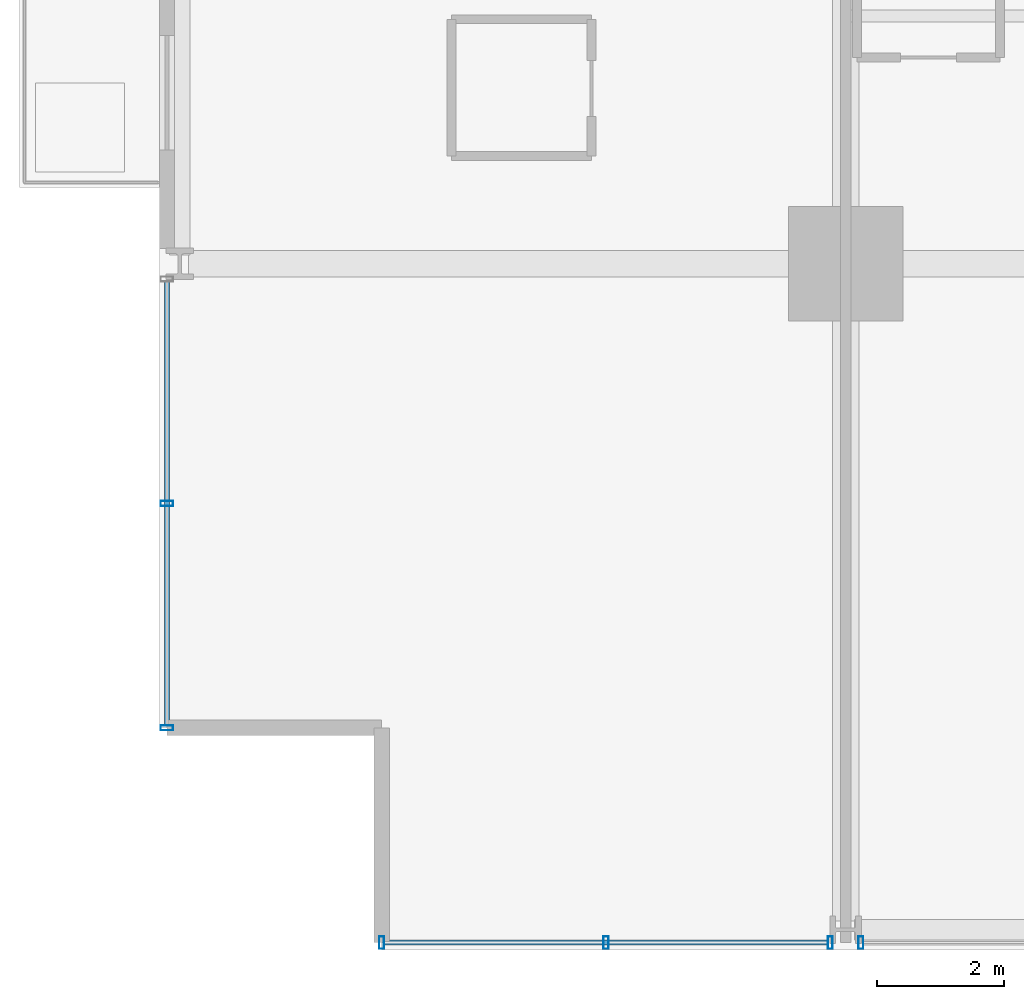
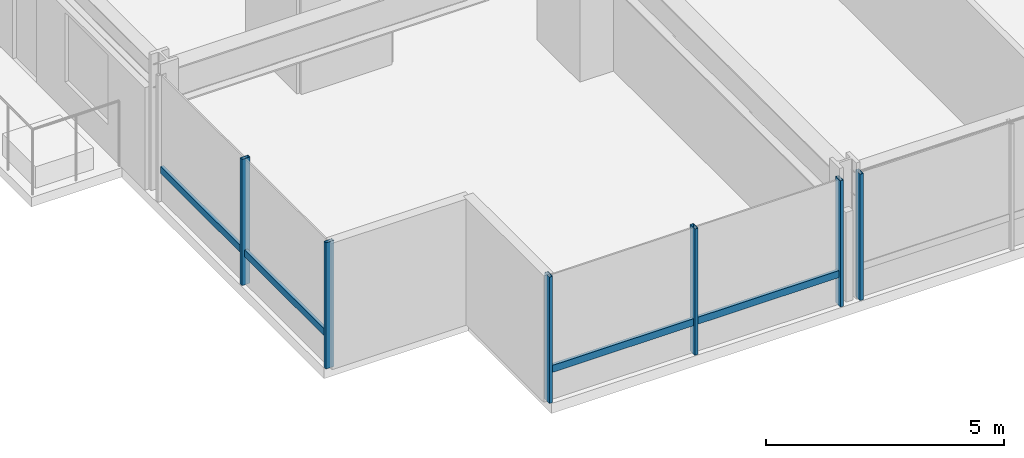
# One storey, part 2 of 42: 8 members, 3 elements without a shape of their own.
"""IFC4 building model written with IfcOpenShell, lengths in metres."""

from ifc_helpers import new_model, si_unit, direction, frame, origin, origin_2d, place, context, subcontext, project, spatial, hollow_rectangle, extrude, material, layer, layer_set, material_profile, profile_set, type_object, element, aggregate, save


model = new_model("IFC4")

# Units and contexts
model_context = context("Model", 3, precision=1e-05, world=origin(), true_north=direction((0.0, 1.0)))
body_context = subcontext(model_context, "Body", "Model", "MODEL_VIEW")
ifc_project = project(units=[si_unit("LENGTHUNIT", "METRE"), si_unit("AREAUNIT", "SQUARE_METRE"), si_unit("VOLUMEUNIT", "CUBIC_METRE"), si_unit("PLANEANGLEUNIT", "RADIAN"), si_unit("MASSUNIT", "GRAM", prefix="KILO")], contexts=[model_context])

# Site, building, storey
site_placement = place(None, origin())
site = spatial("IfcSite", under=ifc_project, at=site_placement, CompositionType="ELEMENT")
building_placement = place(site_placement, origin())
building = spatial("IfcBuilding", under=site, at=building_placement, Name="Drelvath Grand Hotel", CompositionType="ELEMENT")
storey_placement = place(building_placement, frame((0.0, 0.0, 33.199951171875)))
storey = spatial("IfcBuildingStorey", under=building, at=storey_placement, Name="L06", CompositionType="ELEMENT", Elevation=33.199951171875)

# Curtain wall, member
ifc_material = material(Name="Warm Bronze Anodised Aluminium Frame", Category="aluminium")
ifc_layer = layer(ifc_material, 0.199951171875)
ifc_layer_set = layer_set([ifc_layer], Name="Warm Bronze Anodised Aluminium Frame")
curtain_wall_type = type_object("IfcCurtainWallType", Name="Stick Curtain Wall CW-02 Warm Bronze Low-Rise", PredefinedType="NOTDEFINED", material=ifc_layer_set)
curtain_wall_1_placement = place(storey_placement, origin())
curtain_wall_1 = element("IfcCurtainWall", 1, at=curtain_wall_1_placement, inside=storey, type_object=curtain_wall_type, Name="L06 CW-02 Curtain Wall CW02-L06-WS1", PredefinedType="NOTDEFINED")
ifc_material_profile_1 = material_profile(ifc_material, hollow_rectangle(XDim=0.074951171875, YDim=0.179931640625, WallThickness=0.0048828125, at=origin_2d()), Name="HSS180X75X5")
ifc_profile_set_1 = profile_set([ifc_material_profile_1], Name="Warm Bronze Anodised Aluminium Frame")
member_type_1 = type_object("IfcMemberType", Name="Curtain Wall Horizontal Transom CW-02 HSS180X75X5", PredefinedType="USERDEFINED", material=ifc_profile_set_1)
member_1_placement = place(storey_placement, frame((-26.8798828125, 3.5400390625, 0.81005859375), z_axis=(0.0, 1.0, 0.0), x_axis=(-1.0, 0.0, 0.0)))
member_1 = element("IfcMember", 2, at=member_1_placement, type_object=member_type_1, Name="CW02-L06-WS1 Sill Transom", ObjectType="TRANSOM", PredefinedType="USERDEFINED", context=body_context, shape_type="SweptSolid", body=[
    extrude(hollow_rectangle(XDim=0.074951171875, YDim=0.179931640625, WallThickness=0.0048828125, at=origin_2d()), origin(), (0.0, 0.0, 1.0), 6.97900390625),
])

curtain_wall_2_placement = place(storey_placement, origin())
curtain_wall_2 = element("IfcCurtainWall", 3, at=curtain_wall_2_placement, inside=storey, type_object=curtain_wall_type, Name="L06 CW-02 Curtain Wall CW02-L06-SW1", PredefinedType="NOTDEFINED")
member_2_placement = place(storey_placement, frame((-16.48095703125, 0.1201171875, 0.81005859375), z_axis=(-1.0, 0.0, 0.0), x_axis=(0.0, -1.0, 0.0)))
member_2 = element("IfcMember", 4, at=member_2_placement, type_object=member_type_1, Name="CW02-L06-SW1 Sill Transom", ObjectType="TRANSOM", PredefinedType="USERDEFINED", context=body_context, shape_type="SweptSolid", body=[
    extrude(hollow_rectangle(XDim=0.074951171875, YDim=0.179931640625, WallThickness=0.0048828125, at=origin_2d()), origin(), (0.0, 0.0, 1.0), 6.97900390625),
])

# Member
ifc_material_profile_2 = material_profile(ifc_material, hollow_rectangle(XDim=0.080078125, YDim=0.199951171875, WallThickness=0.0048828125, at=origin_2d()), Name="HSS200X80X5")
ifc_profile_set_2 = profile_set([ifc_material_profile_2], Name="Warm Bronze Anodised Aluminium Frame")
member_type_2 = type_object("IfcMemberType", Name="Curtain Wall Vertical Mullion CW-02 HSS200X80X5", PredefinedType="MULLION", material=ifc_profile_set_2)
member_3_placement = place(storey_placement, frame((-26.8798828125, 3.5, 0.0), z_axis=(0.0, 0.0, 1.0), x_axis=(0.0, 1.0, 0.0)))
member_3 = element("IfcMember", 5, at=member_3_placement, type_object=member_type_2, Name="CW02-L06-WS1 Mullion 1", PredefinedType="MULLION", context=body_context, shape_type="SweptSolid", body=[
    extrude(hollow_rectangle(XDim=0.080078125, YDim=0.199951171875, WallThickness=0.0048828125, at=origin_2d()), origin(), (0.0, 0.0, 1.0), 3.239990234375),
])

member_4_placement = place(storey_placement, frame((-26.8798828125, 7.029541015625, 0.0), z_axis=(0.0, 0.0, 1.0), x_axis=(0.0, 1.0, 0.0)))
member_4 = element("IfcMember", 6, at=member_4_placement, type_object=member_type_2, Name="CW02-L06-WS1 Mullion 2", PredefinedType="MULLION", context=body_context, shape_type="SweptSolid", body=[
    extrude(hollow_rectangle(XDim=0.080078125, YDim=0.199951171875, WallThickness=0.0048828125, at=origin_2d()), origin(), (0.0, 0.0, 1.0), 3.239990234375),
])

aggregate(curtain_wall_1, [member_3, member_4, member_1])

member_5_placement = place(storey_placement, frame((-16.44091796875, 0.1201171875, 0.0), z_axis=(0.0, 0.0, 1.0), x_axis=(1.0, 0.0, 0.0)))
member_5 = element("IfcMember", 7, at=member_5_placement, type_object=member_type_2, Name="CW02-L06-SW1 Mullion 1", PredefinedType="MULLION", context=body_context, shape_type="SweptSolid", body=[
    extrude(hollow_rectangle(XDim=0.080078125, YDim=0.199951171875, WallThickness=0.0048828125, at=origin_2d()), origin(), (0.0, 0.0, 1.0), 3.239990234375),
])

member_6_placement = place(storey_placement, frame((-19.970458984375, 0.1201171875, 0.0), z_axis=(0.0, 0.0, 1.0), x_axis=(1.0, 0.0, 0.0)))
member_6 = element("IfcMember", 8, at=member_6_placement, type_object=member_type_2, Name="CW02-L06-SW1 Mullion 2", PredefinedType="MULLION", context=body_context, shape_type="SweptSolid", body=[
    extrude(hollow_rectangle(XDim=0.080078125, YDim=0.199951171875, WallThickness=0.0048828125, at=origin_2d()), origin(), (0.0, 0.0, 1.0), 3.239990234375),
])

member_7_placement = place(storey_placement, frame((-23.5, 0.1201171875, 0.0), z_axis=(0.0, 0.0, 1.0), x_axis=(1.0, 0.0, 0.0)))
member_7 = element("IfcMember", 9, at=member_7_placement, type_object=member_type_2, Name="CW02-L06-SW1 Mullion 3", PredefinedType="MULLION", context=body_context, shape_type="SweptSolid", body=[
    extrude(hollow_rectangle(XDim=0.080078125, YDim=0.199951171875, WallThickness=0.0048828125, at=origin_2d()), origin(), (0.0, 0.0, 1.0), 3.239990234375),
])

aggregate(curtain_wall_2, [member_5, member_6, member_7, member_2])

# Curtain wall, member
curtain_wall_3_placement = place(storey_placement, origin())
curtain_wall_3 = element("IfcCurtainWall", 10, at=curtain_wall_3_placement, inside=storey, type_object=curtain_wall_type, Name="L06 CW-02 Curtain Wall CW02-L06-SW2", PredefinedType="NOTDEFINED")
member_8_placement = place(storey_placement, frame((-15.958984375, 0.1201171875, 0.0), z_axis=(0.0, 0.0, 1.0), x_axis=(1.0, 0.0, 0.0)))
member_8 = element("IfcMember", 11, at=member_8_placement, type_object=member_type_2, Name="CW02-L06-SW2 Mullion 3", PredefinedType="MULLION", context=body_context, shape_type="SweptSolid", body=[
    extrude(hollow_rectangle(XDim=0.080078125, YDim=0.199951171875, WallThickness=0.0048828125, at=origin_2d()), origin(), (0.0, 0.0, 1.0), 3.239990234375),
])
aggregate(curtain_wall_3, [member_8])

save(model, "model.ifc")
